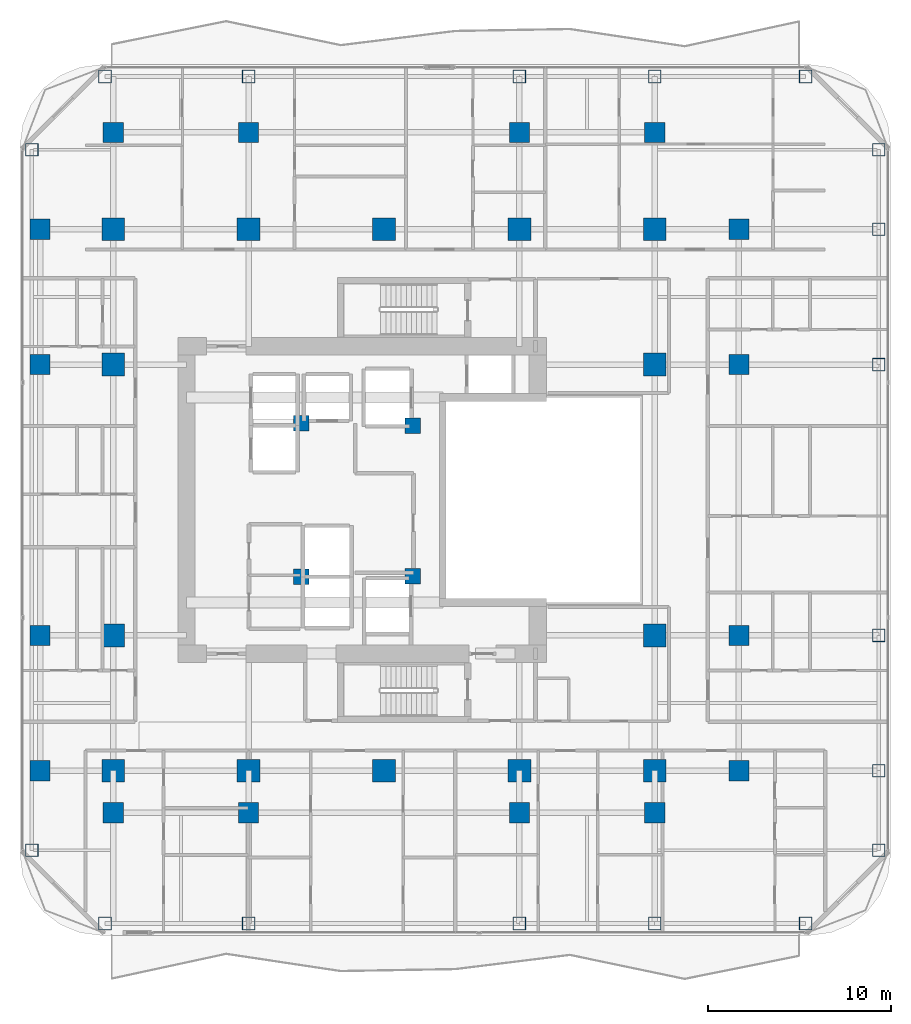
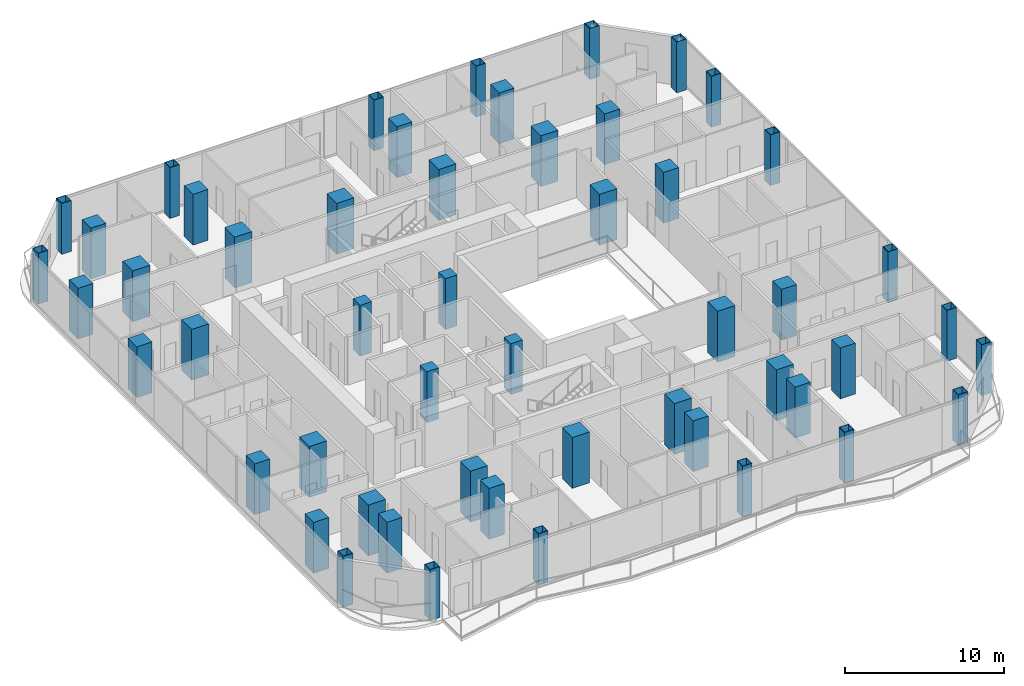
# One storey, part 1 of 29: 52 columns.
"""IFC4 building model written with IfcOpenShell, lengths in metres."""

from ifc_helpers import new_model, si_unit, direction, frame, origin, origin_2d, place, context, subcontext, project, spatial, rectangle, hollow_rectangle, extrude, material, material_profile, profile_set, type_object, element, save


model = new_model("IFC4")

# Units and contexts
model_context = context("Model", 3, precision=1e-05, world=origin(), true_north=direction((0.0, 1.0)))
body_context = subcontext(model_context, "Body", "Model", "MODEL_VIEW")
ifc_project = project(units=[si_unit("LENGTHUNIT", "METRE"), si_unit("AREAUNIT", "SQUARE_METRE"), si_unit("VOLUMEUNIT", "CUBIC_METRE"), si_unit("PLANEANGLEUNIT", "RADIAN"), si_unit("MASSUNIT", "GRAM", prefix="KILO")], contexts=[model_context])

# Site, building, storey
site_placement = place(None, origin())
site = spatial("IfcSite", under=ifc_project, at=site_placement, CompositionType="ELEMENT")
building_placement = place(site_placement, origin())
building = spatial("IfcBuilding", under=site, at=building_placement, Name="Khorvyn Point Tower", CompositionType="ELEMENT")
storey_placement = place(building_placement, frame((0.0, 0.0, 140.699951171875)))
storey = spatial("IfcBuildingStorey", under=building, at=storey_placement, Name="L35", CompositionType="ELEMENT", Elevation=140.699951171875)

# Columns
ifc_material_1 = material(Name="Concrete C40/50", Category="concrete")
ifc_material_profile_1 = material_profile(ifc_material_1, rectangle(XDim=0.85009765625, YDim=0.85009765625, at=origin_2d()))
ifc_profile_set_1 = profile_set([ifc_material_profile_1], Name="Concrete C40/50 RC850x850")
column_type_1 = type_object("IfcColumnType", Name="Concrete C40/50 Column RC850x850", PredefinedType="COLUMN", material=ifc_profile_set_1)
for number, where, z_axis, x_axis, name in (
    (1, (-4.52001953125, -4.199951171875, 0.0), (0.0, 0.0, 1.0), (1.0, 0.0, 0.0), "L35 Crown Core Spine Column 1"),
    (2, (1.580078125, -4.179931640625, 0.0), (0.0, 0.0, 1.0), (1.0, 0.0, 0.0), "L35 Crown Core Spine Column 2"),
    (3, (1.580078125, 4.050048828125, 0.0), (0.0, 0.0, 1.0), (1.0, 0.0, 0.0), "L35 Crown Core Spine Column 3"),
    (4, (-4.52001953125, 4.199951171875, 0.0), (0.0, 0.0, 1.0), (1.0, 0.0, 0.0), "L35 Crown Core Spine Column 4"),
):
    element("IfcColumn", number, at=place(storey_placement, frame(where, z_axis=z_axis, x_axis=x_axis)), inside=storey, type_object=column_type_1, Name=name, PredefinedType="COLUMN", context=body_context, shape_type="SweptSolid", body=[
        extrude(rectangle(XDim=0.85009765625, YDim=0.85009765625, at=origin_2d()), origin(), (0.0, 0.0, 1.0), 3.900146484375),
    ])
ifc_material_2 = material(Name="Concrete C45/55", Category="concrete")
ifc_material_profile_2 = material_profile(ifc_material_2, rectangle(XDim=1.10009765625, YDim=1.10009765625, at=origin_2d()))
ifc_profile_set_2 = profile_set([ifc_material_profile_2], Name="Concrete C45/55 RC1100x1100")
column_type_2 = type_object("IfcColumnType", Name="Concrete C45/55 Column RC1100x1100", PredefinedType="COLUMN", material=ifc_profile_set_2)
for number, where, z_axis, x_axis, name in (
    (5, (-18.800048828125, -14.800048828125, 0.0), (0.0, 0.0, 1.0), (1.0, 0.0, 0.0), "L35 Intermediate Column ICW--14"),
    (6, (-18.800048828125, -7.39990234375, 0.0), (0.0, 0.0, 1.0), (1.0, 0.0, 0.0), "L35 Intermediate Column ICW--7"),
    (7, (-18.800048828125, 7.39990234375, 0.0), (0.0, 0.0, 1.0), (1.0, 0.0, 0.0), "L35 Intermediate Column ICW-7"),
    (8, (-18.800048828125, 14.800048828125, 0.0), (0.0, 0.0, 1.0), (1.0, 0.0, 0.0), "L35 Intermediate Column ICW-14"),
    (9, (19.39990234375, -14.800048828125, 0.0), (0.0, 0.0, 1.0), (1.0, 0.0, 0.0), "L35 Intermediate Column ICE--14"),
    (10, (19.39990234375, -7.39990234375, 0.0), (0.0, 0.0, 1.0), (1.0, 0.0, 0.0), "L35 Intermediate Column ICE--7"),
    (11, (19.39990234375, 7.39990234375, 0.0), (0.0, 0.0, 1.0), (1.0, 0.0, 0.0), "L35 Intermediate Column ICE-7"),
    (12, (19.39990234375, 14.800048828125, 0.0), (0.0, 0.0, 1.0), (1.0, 0.0, 0.0), "L35 Intermediate Column ICE-14"),
    (13, (-14.800048828125, -17.10009765625, 0.0), (0.0, 0.0, 1.0), (1.0, 0.0, 0.0), "L35 Intermediate Column ICS--14"),
    (14, (-7.39990234375, -17.10009765625, 0.0), (0.0, 0.0, 1.0), (1.0, 0.0, 0.0), "L35 Intermediate Column ICS--7"),
    (15, (7.39990234375, -17.10009765625, 0.0), (0.0, 0.0, 1.0), (1.0, 0.0, 0.0), "L35 Intermediate Column ICS-7"),
    (16, (14.800048828125, -17.10009765625, 0.0), (0.0, 0.0, 1.0), (1.0, 0.0, 0.0), "L35 Intermediate Column ICS-14"),
    (17, (-14.800048828125, 20.10009765625, 0.0), (0.0, 0.0, 1.0), (1.0, 0.0, 0.0), "L35 Intermediate Column ICN--14"),
    (18, (-7.39990234375, 20.10009765625, 0.0), (0.0, 0.0, 1.0), (1.0, 0.0, 0.0), "L35 Intermediate Column ICN--7"),
    (19, (7.39990234375, 20.10009765625, 0.0), (0.0, 0.0, 1.0), (1.0, 0.0, 0.0), "L35 Intermediate Column ICN-7"),
    (20, (14.800048828125, 20.10009765625, 0.0), (0.0, 0.0, 1.0), (1.0, 0.0, 0.0), "L35 Intermediate Column ICN-14"),
):
    element("IfcColumn", number, at=place(storey_placement, frame(where, z_axis=z_axis, x_axis=x_axis)), inside=storey, type_object=column_type_2, Name=name, PredefinedType="COLUMN", context=body_context, shape_type="SweptSolid", body=[
        extrude(rectangle(XDim=1.10009765625, YDim=1.10009765625, at=origin_2d()), origin(), (0.0, 0.0, 1.0), 3.900146484375),
    ])
ifc_material_3 = material(Name="Concrete C50/60", Category="concrete")
ifc_material_profile_3 = material_profile(ifc_material_3, rectangle(XDim=1.25, YDim=1.25, at=origin_2d()))
ifc_profile_set_3 = profile_set([ifc_material_profile_3], Name="Concrete C50/60 RC1250x1250")
column_type_3 = type_object("IfcColumnType", Name="Concrete C50/60 Column RC1250x1250", PredefinedType="COLUMN", material=ifc_profile_set_3)
for number, where, z_axis, x_axis, name in (
    (21, (-14.800048828125, -14.800048828125, 0.0), (0.0, 0.0, 1.0), (1.0, 0.0, 0.0), "L35 Mega-Column MC-01"),
    (22, (-7.39990234375, -14.800048828125, 0.0), (0.0, 0.0, 1.0), (1.0, 0.0, 0.0), "L35 Mega-Column MC-02"),
    (23, (0.0, -14.800048828125, 0.0), (0.0, 0.0, 1.0), (1.0, 0.0, 0.0), "L35 Mega-Column MC-03"),
    (24, (7.39990234375, -14.800048828125, 0.0), (0.0, 0.0, 1.0), (1.0, 0.0, 0.0), "L35 Mega-Column MC-04"),
    (25, (14.800048828125, -14.800048828125, 0.0), (0.0, 0.0, 1.0), (1.0, 0.0, 0.0), "L35 Mega-Column MC-05"),
    (26, (-14.800048828125, 14.800048828125, 0.0), (0.0, 0.0, 1.0), (1.0, 0.0, 0.0), "L35 Mega-Column MC-06"),
    (27, (-7.39990234375, 14.800048828125, 0.0), (0.0, 0.0, 1.0), (1.0, 0.0, 0.0), "L35 Mega-Column MC-07"),
    (28, (0.0, 14.800048828125, 0.0), (0.0, 0.0, 1.0), (1.0, 0.0, 0.0), "L35 Mega-Column MC-08"),
    (29, (7.39990234375, 14.800048828125, 0.0), (0.0, 0.0, 1.0), (1.0, 0.0, 0.0), "L35 Mega-Column MC-09"),
    (30, (14.800048828125, 14.800048828125, 0.0), (0.0, 0.0, 1.0), (1.0, 0.0, 0.0), "L35 Mega-Column MC-10"),
    (31, (-14.800048828125, -7.39990234375, 0.0), (0.0, 0.0, 1.0), (1.0, 0.0, 0.0), "L35 Mega-Column MC-11"),
    (32, (-14.800048828125, 7.39990234375, 0.0), (0.0, 0.0, 1.0), (1.0, 0.0, 0.0), "L35 Mega-Column MC-12"),
    (33, (14.800048828125, -7.39990234375, 0.0), (0.0, 0.0, 1.0), (1.0, 0.0, 0.0), "L35 Mega-Column MC-13"),
    (34, (14.800048828125, 7.39990234375, 0.0), (0.0, 0.0, 1.0), (1.0, 0.0, 0.0), "L35 Mega-Column MC-14"),
):
    element("IfcColumn", number, at=place(storey_placement, frame(where, z_axis=z_axis, x_axis=x_axis)), inside=storey, type_object=column_type_3, Name=name, PredefinedType="COLUMN", context=body_context, shape_type="SweptSolid", body=[
        extrude(rectangle(XDim=1.25, YDim=1.25, at=origin_2d()), origin(), (0.0, 0.0, 1.0), 3.900146484375),
    ])
ifc_material_4 = material(Name="Steel S450", Category="steel")
ifc_material_profile_4 = material_profile(ifc_material_4, hollow_rectangle(XDim=0.699951171875, YDim=0.699951171875, WallThickness=0.031982421875, at=origin_2d()))
ifc_profile_set_4 = profile_set([ifc_material_profile_4], Name="Steel S450 BOX700x700x32")
column_type_4 = type_object("IfcColumnType", Name="Steel S450 Structural Column BOX700x700x32", PredefinedType="COLUMN", material=ifc_profile_set_4)
for number, where, z_axis, x_axis, name in (
    (35, (-15.25, -23.14990234375, 0.0), (0.0, 0.0, 1.0), (1.0, 0.0, 0.0), "L35 Perimeter Tube Column TC-01"),
    (36, (23.050048828125, -23.14990234375, 0.0), (0.0, 0.0, 1.0), (1.0, 0.0, 0.0), "L35 Perimeter Tube Column TC-02"),
    (37, (-15.25, 23.14990234375, 0.0), (0.0, 0.0, 1.0), (1.0, 0.0, 0.0), "L35 Perimeter Tube Column TC-03"),
    (38, (23.050048828125, 23.14990234375, 0.0), (0.0, 0.0, 1.0), (1.0, 0.0, 0.0), "L35 Perimeter Tube Column TC-04"),
    (39, (-19.25, -19.14990234375, 0.0), (0.0, 0.0, 1.0), (1.0, 0.0, 0.0), "L35 Perimeter Tube Column TC-05"),
    (40, (-19.25, 19.14990234375, 0.0), (0.0, 0.0, 1.0), (1.0, 0.0, 0.0), "L35 Perimeter Tube Column TC-06"),
    (41, (27.050048828125, -19.14990234375, 0.0), (0.0, 0.0, 1.0), (1.0, 0.0, 0.0), "L35 Perimeter Tube Column TC-07"),
    (42, (27.050048828125, 19.14990234375, 0.0), (0.0, 0.0, 1.0), (1.0, 0.0, 0.0), "L35 Perimeter Tube Column TC-08"),
    (43, (-7.39990234375, -23.14990234375, 0.0), (0.0, 0.0, 1.0), (1.0, 0.0, 0.0), "L35 Perimeter Tube Column TC-09"),
    (44, (-7.39990234375, 23.14990234375, 0.0), (0.0, 0.0, 1.0), (1.0, 0.0, 0.0), "L35 Perimeter Tube Column TC-10"),
    (45, (7.39990234375, -23.14990234375, 0.0), (0.0, 0.0, 1.0), (1.0, 0.0, 0.0), "L35 Perimeter Tube Column TC-11"),
    (46, (7.39990234375, 23.14990234375, 0.0), (0.0, 0.0, 1.0), (1.0, 0.0, 0.0), "L35 Perimeter Tube Column TC-12"),
    (47, (14.800048828125, -23.14990234375, 0.0), (0.0, 0.0, 1.0), (1.0, 0.0, 0.0), "L35 Perimeter Tube Column TC-13"),
    (48, (14.800048828125, 23.14990234375, 0.0), (0.0, 0.0, 1.0), (1.0, 0.0, 0.0), "L35 Perimeter Tube Column TC-14"),
    (49, (27.050048828125, -14.800048828125, 0.0), (0.0, 0.0, 1.0), (1.0, 0.0, 0.0), "L35 Perimeter Tube Column TC-15"),
    (50, (27.050048828125, -7.39990234375, 0.0), (0.0, 0.0, 1.0), (1.0, 0.0, 0.0), "L35 Perimeter Tube Column TC-16"),
    (51, (27.050048828125, 7.39990234375, 0.0), (0.0, 0.0, 1.0), (1.0, 0.0, 0.0), "L35 Perimeter Tube Column TC-17"),
    (52, (27.050048828125, 14.800048828125, 0.0), (0.0, 0.0, 1.0), (1.0, 0.0, 0.0), "L35 Perimeter Tube Column TC-18"),
):
    element("IfcColumn", number, at=place(storey_placement, frame(where, z_axis=z_axis, x_axis=x_axis)), inside=storey, type_object=column_type_4, Name=name, PredefinedType="COLUMN", context=body_context, shape_type="SweptSolid", body=[
        extrude(hollow_rectangle(XDim=0.699951171875, YDim=0.699951171875, WallThickness=0.031982421875, at=origin_2d()), origin(), (0.0, 0.0, 1.0), 3.900146484375),
    ])

save(model, "model.ifc")
